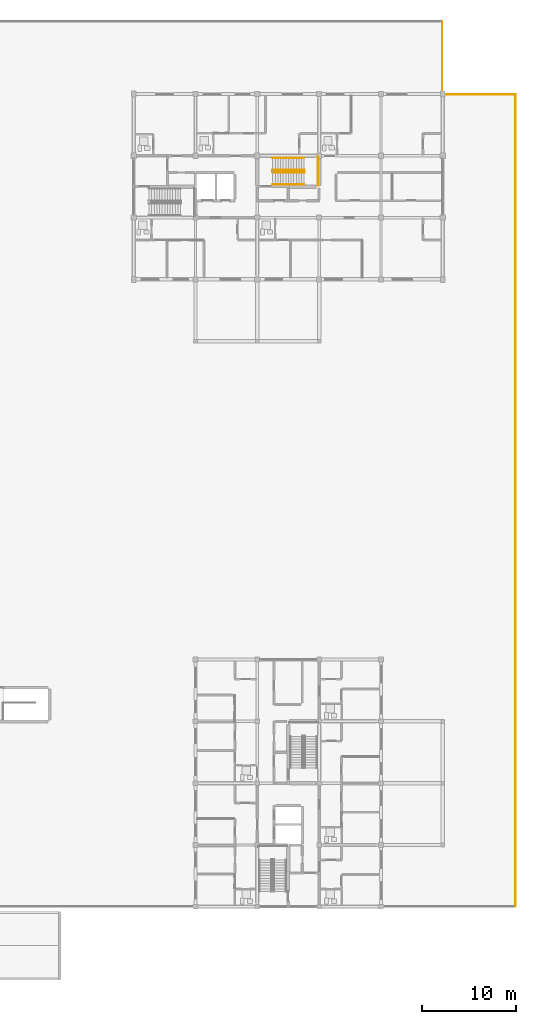
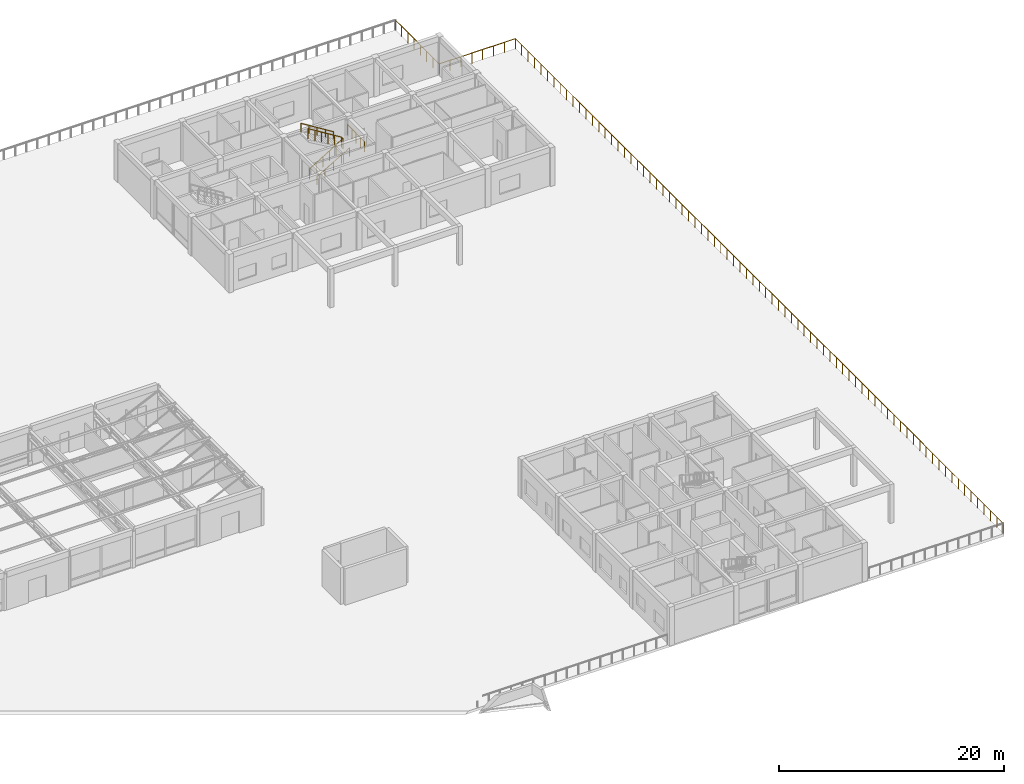
# One storey, part 91 of 92: 5 railings.
"""IFC4 building model written with IfcOpenShell, lengths in metres."""

from ifc_helpers import new_model, si_unit, direction, frame, origin, origin_2d, place, context, subcontext, project, spatial, circle, extrude, material, type_object, element, save


model = new_model("IFC4")

# Units and contexts
model_context = context("Model", 3, precision=1e-05, world=origin(), true_north=direction((0.0, 1.0)))
body_context = subcontext(model_context, "Body", "Model", "MODEL_VIEW")
ifc_project = project(units=[si_unit("LENGTHUNIT", "METRE"), si_unit("AREAUNIT", "SQUARE_METRE"), si_unit("VOLUMEUNIT", "CUBIC_METRE"), si_unit("PLANEANGLEUNIT", "RADIAN"), si_unit("MASSUNIT", "GRAM", prefix="KILO")], contexts=[model_context])

# Site, building, storey
site_placement = place(None, origin())
site = spatial("IfcSite", under=ifc_project, at=site_placement, CompositionType="ELEMENT")
building_placement = place(site_placement, origin())
building = spatial("IfcBuilding", under=site, at=building_placement, Name="Kernevlak Ridge Housing Community", CompositionType="ELEMENT")
storey_placement = place(building_placement, frame((0.0, 0.0, 4.199951171875)))
storey = spatial("IfcBuildingStorey", under=building, at=storey_placement, Name="L01", CompositionType="ELEMENT", Elevation=4.199951171875)

# Railings
ifc_material_1 = material(Name="Steel S355", Category="steel")
railing_type_1 = type_object("IfcRailingType", Name="GR-01", PredefinedType="GUARDRAIL", material=ifc_material_1)
railing_1_placement = place(storey_placement, frame((160.14990234375, 15.64990234375, 0.0)))
element("IfcRailing", 1, at=railing_1_placement, inside=storey, type_object=railing_type_1, Name="L01 civic plaza perimeter guard GR-01 61", PredefinedType="GUARDRAIL", context=body_context, shape_type="SweptSolid", body=[
    extrude(circle(Radius=0.02392578125, at=origin_2d()), frame((0.0, 0.0, 1.09619140625), z_axis=(0.0, 1.0, 0.0), x_axis=(-1.0, 0.0, 0.0)), (0.0, 0.0, 1.0), 86.7001953125),
    extrude(circle(Radius=0.02392578125, at=origin_2d()), frame((0.0, 86.7001953125, 1.09619140625), z_axis=(-1.0, 0.0, 0.0), x_axis=(0.0, -1.0, 0.0)), (0.0, 0.0, 1.0), 7.7998046875),
    extrude(circle(Radius=0.02392578125, at=origin_2d()), frame((-7.7998046875, 86.7001953125, 1.09619140625), z_axis=(0.0, 1.0, 0.0), x_axis=(-1.0, 0.0, 0.0)), (0.0, 0.0, 1.0), 7.7998046875),
    extrude(circle(Radius=0.02099609375, at=origin_2d()), origin(), (0.0, 0.0, 1.0), 1.072021484375),
    extrude(circle(Radius=0.02099609375, at=origin_2d()), frame((0.0, 1.140869140625, 0.0)), (0.0, 0.0, 1.0), 1.072021484375),
    extrude(circle(Radius=0.02099609375, at=origin_2d()), frame((0.0, 2.281494140625, 0.0)), (0.0, 0.0, 1.0), 1.072021484375),
    extrude(circle(Radius=0.02099609375, at=origin_2d()), frame((0.0, 3.42236328125, 0.0)), (0.0, 0.0, 1.0), 1.072021484375),
    extrude(circle(Radius=0.02099609375, at=origin_2d()), frame((0.0, 4.563232421875, 0.0)), (0.0, 0.0, 1.0), 1.072021484375),
    extrude(circle(Radius=0.02099609375, at=origin_2d()), frame((0.0, 5.703857421875, 0.0)), (0.0, 0.0, 1.0), 1.072021484375),
    extrude(circle(Radius=0.02099609375, at=origin_2d()), frame((0.0, 6.8447265625, 0.0)), (0.0, 0.0, 1.0), 1.072021484375),
    extrude(circle(Radius=0.02099609375, at=origin_2d()), frame((0.0, 7.985595703125, 0.0)), (0.0, 0.0, 1.0), 1.072021484375),
    extrude(circle(Radius=0.02099609375, at=origin_2d()), frame((0.0, 9.126220703125, 0.0)), (0.0, 0.0, 1.0), 1.072021484375),
    extrude(circle(Radius=0.02099609375, at=origin_2d()), frame((0.0, 10.26708984375, 0.0)), (0.0, 0.0, 1.0), 1.072021484375),
    extrude(circle(Radius=0.02099609375, at=origin_2d()), frame((0.0, 11.407958984375, 0.0)), (0.0, 0.0, 1.0), 1.072021484375),
    extrude(circle(Radius=0.02099609375, at=origin_2d()), frame((0.0, 12.548828125, 0.0)), (0.0, 0.0, 1.0), 1.072021484375),
    extrude(circle(Radius=0.02099609375, at=origin_2d()), frame((0.0, 13.689453125, 0.0)), (0.0, 0.0, 1.0), 1.072021484375),
    extrude(circle(Radius=0.02099609375, at=origin_2d()), frame((0.0, 14.830322265625, 0.0)), (0.0, 0.0, 1.0), 1.072021484375),
    extrude(circle(Radius=0.02099609375, at=origin_2d()), frame((0.0, 15.97119140625, 0.0)), (0.0, 0.0, 1.0), 1.072021484375),
    extrude(circle(Radius=0.02099609375, at=origin_2d()), frame((0.0, 17.11181640625, 0.0)), (0.0, 0.0, 1.0), 1.072021484375),
    extrude(circle(Radius=0.02099609375, at=origin_2d()), frame((0.0, 18.252685546875, 0.0)), (0.0, 0.0, 1.0), 1.072021484375),
    extrude(circle(Radius=0.02099609375, at=origin_2d()), frame((0.0, 19.3935546875, 0.0)), (0.0, 0.0, 1.0), 1.072021484375),
    extrude(circle(Radius=0.02099609375, at=origin_2d()), frame((0.0, 20.5341796875, 0.0)), (0.0, 0.0, 1.0), 1.072021484375),
    extrude(circle(Radius=0.02099609375, at=origin_2d()), frame((0.0, 21.675048828125, 0.0)), (0.0, 0.0, 1.0), 1.072021484375),
    extrude(circle(Radius=0.02099609375, at=origin_2d()), frame((0.0, 22.81591796875, 0.0)), (0.0, 0.0, 1.0), 1.072021484375),
    extrude(circle(Radius=0.02099609375, at=origin_2d()), frame((0.0, 23.95654296875, 0.0)), (0.0, 0.0, 1.0), 1.072021484375),
    extrude(circle(Radius=0.02099609375, at=origin_2d()), frame((0.0, 25.097412109375, 0.0)), (0.0, 0.0, 1.0), 1.072021484375),
    extrude(circle(Radius=0.02099609375, at=origin_2d()), frame((0.0, 26.23828125, 0.0)), (0.0, 0.0, 1.0), 1.072021484375),
    extrude(circle(Radius=0.02099609375, at=origin_2d()), frame((0.0, 27.37890625, 0.0)), (0.0, 0.0, 1.0), 1.072021484375),
    extrude(circle(Radius=0.02099609375, at=origin_2d()), frame((0.0, 28.519775390625, 0.0)), (0.0, 0.0, 1.0), 1.072021484375),
    extrude(circle(Radius=0.02099609375, at=origin_2d()), frame((0.0, 29.66064453125, 0.0)), (0.0, 0.0, 1.0), 1.072021484375),
    extrude(circle(Radius=0.02099609375, at=origin_2d()), frame((0.0, 30.80126953125, 0.0)), (0.0, 0.0, 1.0), 1.072021484375),
    extrude(circle(Radius=0.02099609375, at=origin_2d()), frame((0.0, 31.942138671875, 0.0)), (0.0, 0.0, 1.0), 1.072021484375),
    extrude(circle(Radius=0.02099609375, at=origin_2d()), frame((0.0, 33.0830078125, 0.0)), (0.0, 0.0, 1.0), 1.072021484375),
    extrude(circle(Radius=0.02099609375, at=origin_2d()), frame((0.0, 34.223876953125, 0.0)), (0.0, 0.0, 1.0), 1.072021484375),
    extrude(circle(Radius=0.02099609375, at=origin_2d()), frame((0.0, 35.364501953125, 0.0)), (0.0, 0.0, 1.0), 1.072021484375),
    extrude(circle(Radius=0.02099609375, at=origin_2d()), frame((0.0, 36.50537109375, 0.0)), (0.0, 0.0, 1.0), 1.072021484375),
    extrude(circle(Radius=0.02099609375, at=origin_2d()), frame((0.0, 37.646240234375, 0.0)), (0.0, 0.0, 1.0), 1.072021484375),
    extrude(circle(Radius=0.02099609375, at=origin_2d()), frame((0.0, 38.786865234375, 0.0)), (0.0, 0.0, 1.0), 1.072021484375),
    extrude(circle(Radius=0.02099609375, at=origin_2d()), frame((0.0, 39.927734375, 0.0)), (0.0, 0.0, 1.0), 1.072021484375),
    extrude(circle(Radius=0.02099609375, at=origin_2d()), frame((0.0, 41.068603515625, 0.0)), (0.0, 0.0, 1.0), 1.072021484375),
    extrude(circle(Radius=0.02099609375, at=origin_2d()), frame((0.0, 42.209228515625, 0.0)), (0.0, 0.0, 1.0), 1.072021484375),
    extrude(circle(Radius=0.02099609375, at=origin_2d()), frame((0.0, 43.35009765625, 0.0)), (0.0, 0.0, 1.0), 1.072021484375),
    extrude(circle(Radius=0.02099609375, at=origin_2d()), frame((0.0, 44.490966796875, 0.0)), (0.0, 0.0, 1.0), 1.072021484375),
    extrude(circle(Radius=0.02099609375, at=origin_2d()), frame((0.0, 45.631591796875, 0.0)), (0.0, 0.0, 1.0), 1.072021484375),
    extrude(circle(Radius=0.02099609375, at=origin_2d()), frame((0.0, 46.7724609375, 0.0)), (0.0, 0.0, 1.0), 1.072021484375),
    extrude(circle(Radius=0.02099609375, at=origin_2d()), frame((0.0, 47.913330078125, 0.0)), (0.0, 0.0, 1.0), 1.072021484375),
    extrude(circle(Radius=0.02099609375, at=origin_2d()), frame((0.0, 49.053955078125, 0.0)), (0.0, 0.0, 1.0), 1.072021484375),
    extrude(circle(Radius=0.02099609375, at=origin_2d()), frame((0.0, 50.19482421875, 0.0)), (0.0, 0.0, 1.0), 1.072021484375),
    extrude(circle(Radius=0.02099609375, at=origin_2d()), frame((0.0, 51.335693359375, 0.0)), (0.0, 0.0, 1.0), 1.072021484375),
    extrude(circle(Radius=0.02099609375, at=origin_2d()), frame((0.0, 52.476318359375, 0.0)), (0.0, 0.0, 1.0), 1.072021484375),
    extrude(circle(Radius=0.02099609375, at=origin_2d()), frame((0.0, 53.6171875, 0.0)), (0.0, 0.0, 1.0), 1.072021484375),
    extrude(circle(Radius=0.02099609375, at=origin_2d()), frame((0.0, 54.758056640625, 0.0)), (0.0, 0.0, 1.0), 1.072021484375),
    extrude(circle(Radius=0.02099609375, at=origin_2d()), frame((0.0, 55.89892578125, 0.0)), (0.0, 0.0, 1.0), 1.072021484375),
    extrude(circle(Radius=0.02099609375, at=origin_2d()), frame((0.0, 57.03955078125, 0.0)), (0.0, 0.0, 1.0), 1.072021484375),
    extrude(circle(Radius=0.02099609375, at=origin_2d()), frame((0.0, 58.180419921875, 0.0)), (0.0, 0.0, 1.0), 1.072021484375),
    extrude(circle(Radius=0.02099609375, at=origin_2d()), frame((0.0, 59.3212890625, 0.0)), (0.0, 0.0, 1.0), 1.072021484375),
    extrude(circle(Radius=0.02099609375, at=origin_2d()), frame((0.0, 60.4619140625, 0.0)), (0.0, 0.0, 1.0), 1.072021484375),
    extrude(circle(Radius=0.02099609375, at=origin_2d()), frame((0.0, 61.602783203125, 0.0)), (0.0, 0.0, 1.0), 1.072021484375),
    extrude(circle(Radius=0.02099609375, at=origin_2d()), frame((0.0, 62.74365234375, 0.0)), (0.0, 0.0, 1.0), 1.072021484375),
    extrude(circle(Radius=0.02099609375, at=origin_2d()), frame((0.0, 63.88427734375, 0.0)), (0.0, 0.0, 1.0), 1.072021484375),
    extrude(circle(Radius=0.02099609375, at=origin_2d()), frame((0.0, 65.025146484375, 0.0)), (0.0, 0.0, 1.0), 1.072021484375),
    extrude(circle(Radius=0.02099609375, at=origin_2d()), frame((0.0, 66.166015625, 0.0)), (0.0, 0.0, 1.0), 1.072021484375),
    extrude(circle(Radius=0.02099609375, at=origin_2d()), frame((0.0, 67.306640625, 0.0)), (0.0, 0.0, 1.0), 1.072021484375),
    extrude(circle(Radius=0.02099609375, at=origin_2d()), frame((0.0, 68.447509765625, 0.0)), (0.0, 0.0, 1.0), 1.072021484375),
    extrude(circle(Radius=0.02099609375, at=origin_2d()), frame((0.0, 69.58837890625, 0.0)), (0.0, 0.0, 1.0), 1.072021484375),
    extrude(circle(Radius=0.02099609375, at=origin_2d()), frame((0.0, 70.72900390625, 0.0)), (0.0, 0.0, 1.0), 1.072021484375),
    extrude(circle(Radius=0.02099609375, at=origin_2d()), frame((0.0, 71.869873046875, 0.0)), (0.0, 0.0, 1.0), 1.072021484375),
    extrude(circle(Radius=0.02099609375, at=origin_2d()), frame((0.0, 73.0107421875, 0.0)), (0.0, 0.0, 1.0), 1.072021484375),
    extrude(circle(Radius=0.02099609375, at=origin_2d()), frame((0.0, 74.1513671875, 0.0)), (0.0, 0.0, 1.0), 1.072021484375),
    extrude(circle(Radius=0.02099609375, at=origin_2d()), frame((0.0, 75.292236328125, 0.0)), (0.0, 0.0, 1.0), 1.072021484375),
    extrude(circle(Radius=0.02099609375, at=origin_2d()), frame((0.0, 76.43310546875, 0.0)), (0.0, 0.0, 1.0), 1.072021484375),
    extrude(circle(Radius=0.02099609375, at=origin_2d()), frame((0.0, 77.573974609375, 0.0)), (0.0, 0.0, 1.0), 1.072021484375),
    extrude(circle(Radius=0.02099609375, at=origin_2d()), frame((0.0, 78.714599609375, 0.0)), (0.0, 0.0, 1.0), 1.072021484375),
    extrude(circle(Radius=0.02099609375, at=origin_2d()), frame((0.0, 79.85546875, 0.0)), (0.0, 0.0, 1.0), 1.072021484375),
    extrude(circle(Radius=0.02099609375, at=origin_2d()), frame((0.0, 80.996337890625, 0.0)), (0.0, 0.0, 1.0), 1.072021484375),
    extrude(circle(Radius=0.02099609375, at=origin_2d()), frame((0.0, 82.136962890625, 0.0)), (0.0, 0.0, 1.0), 1.072021484375),
    extrude(circle(Radius=0.02099609375, at=origin_2d()), frame((0.0, 83.27783203125, 0.0)), (0.0, 0.0, 1.0), 1.072021484375),
    extrude(circle(Radius=0.02099609375, at=origin_2d()), frame((0.0, 84.418701171875, 0.0)), (0.0, 0.0, 1.0), 1.072021484375),
    extrude(circle(Radius=0.02099609375, at=origin_2d()), frame((0.0, 85.559326171875, 0.0)), (0.0, 0.0, 1.0), 1.072021484375),
    extrude(circle(Radius=0.02099609375, at=origin_2d()), frame((0.0, 86.7001953125, 0.0)), (0.0, 0.0, 1.0), 1.072021484375),
    extrude(circle(Radius=0.02099609375, at=origin_2d()), frame((-1.1142578125, 86.7001953125, 0.0)), (0.0, 0.0, 1.0), 1.072021484375),
    extrude(circle(Radius=0.02099609375, at=origin_2d()), frame((-2.228515625, 86.7001953125, 0.0)), (0.0, 0.0, 1.0), 1.072021484375),
    extrude(circle(Radius=0.02099609375, at=origin_2d()), frame((-3.3427734375, 86.7001953125, 0.0)), (0.0, 0.0, 1.0), 1.072021484375),
    extrude(circle(Radius=0.02099609375, at=origin_2d()), frame((-4.45703125, 86.7001953125, 0.0)), (0.0, 0.0, 1.0), 1.072021484375),
    extrude(circle(Radius=0.02099609375, at=origin_2d()), frame((-5.5712890625, 86.7001953125, 0.0)), (0.0, 0.0, 1.0), 1.072021484375),
    extrude(circle(Radius=0.02099609375, at=origin_2d()), frame((-6.685546875, 86.7001953125, 0.0)), (0.0, 0.0, 1.0), 1.072021484375),
    extrude(circle(Radius=0.02099609375, at=origin_2d()), frame((-7.7998046875, 86.7001953125, 0.0)), (0.0, 0.0, 1.0), 1.072021484375),
    extrude(circle(Radius=0.02099609375, at=origin_2d()), frame((-7.7998046875, 87.814453125, 0.0)), (0.0, 0.0, 1.0), 1.072021484375),
    extrude(circle(Radius=0.02099609375, at=origin_2d()), frame((-7.7998046875, 88.9287109375, 0.0)), (0.0, 0.0, 1.0), 1.072021484375),
    extrude(circle(Radius=0.02099609375, at=origin_2d()), frame((-7.7998046875, 90.04296875, 0.0)), (0.0, 0.0, 1.0), 1.072021484375),
    extrude(circle(Radius=0.02099609375, at=origin_2d()), frame((-7.7998046875, 91.1572265625, 0.0)), (0.0, 0.0, 1.0), 1.072021484375),
    extrude(circle(Radius=0.02099609375, at=origin_2d()), frame((-7.7998046875, 92.271484375, 0.0)), (0.0, 0.0, 1.0), 1.072021484375),
    extrude(circle(Radius=0.02099609375, at=origin_2d()), frame((-7.7998046875, 93.3857421875, 0.0)), (0.0, 0.0, 1.0), 1.072021484375),
    extrude(circle(Radius=0.02099609375, at=origin_2d()), frame((-7.7998046875, 94.5, 0.0)), (0.0, 0.0, 1.0), 1.072021484375),
])
railing_type_2 = type_object("IfcRailingType", Name="GR-02", PredefinedType="GUARDRAIL", material=ifc_material_1)
railing_2_placement = place(storey_placement, frame((134.239990234375, 94.02001953125, 0.0)))
element("IfcRailing", 2, at=railing_2_placement, inside=storey, type_object=railing_type_2, Name="Stair ST-B2 L01 inner well guardrail", PredefinedType="GUARDRAIL", context=body_context, shape_type="SweptSolid", body=[
    extrude(circle(Radius=0.02392578125, at=origin_2d()), frame((0.0, 0.0, 1.09619140625), z_axis=(0.850780323153, 0.0, 0.525521495028), x_axis=(0.0, 1.0, 0.0)), (0.0, 0.0, 1.0), 3.996337890625),
    extrude(circle(Radius=0.02392578125, at=origin_2d()), frame((3.39990234375, 0.0, 3.1962890625), z_axis=(0.0, 1.0, 0.0), x_axis=(-1.0, 0.0, 0.0)), (0.0, 0.0, 1.0), 0.260009765625),
    extrude(circle(Radius=0.02392578125, at=origin_2d()), frame((3.39990234375, 0.260009765625, 3.1962890625), z_axis=(-0.85080763774, 0.0, 0.525477272167), x_axis=(0.0, -1.0, 0.0)), (0.0, 0.0, 1.0), 3.99609375),
    extrude(circle(Radius=0.02099609375, at=origin_2d()), origin(), (0.0, 0.0, 1.0), 1.072021484375),
    extrude(circle(Radius=0.02099609375, at=origin_2d()), frame((0.679931640625, 0.0, 0.419921875)), (0.0, 0.0, 1.0), 1.072021484375),
    extrude(circle(Radius=0.02099609375, at=origin_2d()), frame((1.35986328125, 0.0, 0.840087890625)), (0.0, 0.0, 1.0), 1.072021484375),
    extrude(circle(Radius=0.02099609375, at=origin_2d()), frame((2.0400390625, 0.0, 1.260009765625)), (0.0, 0.0, 1.0), 1.072021484375),
    extrude(circle(Radius=0.02099609375, at=origin_2d()), frame((2.719970703125, 0.0, 1.68017578125)), (0.0, 0.0, 1.0), 1.072021484375),
    extrude(circle(Radius=0.02099609375, at=origin_2d()), frame((3.39990234375, 0.0, 2.10009765625)), (0.0, 0.0, 1.0), 1.072021484375),
    extrude(circle(Radius=0.02099609375, at=origin_2d()), frame((3.39990234375, 0.260009765625, 2.10009765625)), (0.0, 0.0, 1.0), 1.072021484375),
    extrude(circle(Radius=0.02099609375, at=origin_2d()), frame((2.719970703125, 0.260009765625, 2.52001953125)), (0.0, 0.0, 1.0), 1.072021484375),
    extrude(circle(Radius=0.02099609375, at=origin_2d()), frame((2.0400390625, 0.260009765625, 2.93994140625)), (0.0, 0.0, 1.0), 1.072021484375),
    extrude(circle(Radius=0.02099609375, at=origin_2d()), frame((1.35986328125, 0.260009765625, 3.360107421875)), (0.0, 0.0, 1.0), 1.072021484375),
    extrude(circle(Radius=0.02099609375, at=origin_2d()), frame((0.679931640625, 0.260009765625, 3.780029296875)), (0.0, 0.0, 1.0), 1.072021484375),
    extrude(circle(Radius=0.02099609375, at=origin_2d()), frame((0.0, 0.260009765625, 4.199951171875)), (0.0, 0.0, 1.0), 1.072021484375),
])
railing_3_placement = place(storey_placement, frame((139.080078125, 92.6201171875, 2.10009765625)))
element("IfcRailing", 3, at=railing_3_placement, inside=storey, type_object=railing_type_2, Name="Stair ST-B2 L01 half-landing guard", PredefinedType="GUARDRAIL", context=body_context, shape_type="SweptSolid", body=[
    extrude(circle(Radius=0.02392578125, at=origin_2d()), frame((0.0, 0.0, 1.09619140625), z_axis=(0.0, 1.0, 0.0), x_axis=(-1.0, 0.0, 0.0)), (0.0, 0.0, 1.0), 3.059814453125),
    extrude(circle(Radius=0.02099609375, at=origin_2d()), origin(), (0.0, 0.0, 1.0), 1.072021484375),
    extrude(circle(Radius=0.02099609375, at=origin_2d()), frame((0.0, 0.764892578125, 0.0)), (0.0, 0.0, 1.0), 1.072021484375),
    extrude(circle(Radius=0.02099609375, at=origin_2d()), frame((0.0, 1.52978515625, 0.0)), (0.0, 0.0, 1.0), 1.072021484375),
    extrude(circle(Radius=0.02099609375, at=origin_2d()), frame((0.0, 2.294921875, 0.0)), (0.0, 0.0, 1.0), 1.072021484375),
    extrude(circle(Radius=0.02099609375, at=origin_2d()), frame((0.0, 3.059814453125, 0.0)), (0.0, 0.0, 1.0), 1.072021484375),
])
ifc_material_2 = material(Name="Stainless steel EN 1.4401", Category="steel")
railing_type_3 = type_object("IfcRailingType", Name="HR-01", PredefinedType="HANDRAIL", material=ifc_material_2)
railing_4_placement = place(storey_placement, frame((134.239990234375, 92.719970703125, 0.16162109375)))
element("IfcRailing", 4, at=railing_4_placement, inside=storey, type_object=railing_type_3, Name="Stair ST-B2 L01 flight 1 handrail", PredefinedType="HANDRAIL", context=body_context, shape_type="SweptSolid", body=[
    extrude(circle(Radius=0.02392578125, at=origin_2d()), frame((0.0, 0.0, 0.89599609375), z_axis=(0.866190824863, 0.0, 0.499713372768), x_axis=(0.0, 1.0, 0.0)), (0.0, 0.0, 1.0), 3.879150390625),
    extrude(circle(Radius=0.02099609375, at=origin_2d()), origin(), (0.0, 0.0, 1.0), 0.871826171875),
    extrude(circle(Radius=0.02099609375, at=origin_2d()), frame((0.840087890625, 0.0, 0.484619140625)), (0.0, 0.0, 1.0), 0.871826171875),
    extrude(circle(Radius=0.02099609375, at=origin_2d()), frame((1.68017578125, 0.0, 0.96923828125)), (0.0, 0.0, 1.0), 0.871826171875),
    extrude(circle(Radius=0.02099609375, at=origin_2d()), frame((2.52001953125, 0.0, 1.453857421875)), (0.0, 0.0, 1.0), 0.871826171875),
    extrude(circle(Radius=0.02099609375, at=origin_2d()), frame((3.360107421875, 0.0, 1.9384765625)), (0.0, 0.0, 1.0), 0.871826171875),
])
railing_5_placement = place(storey_placement, frame((137.60009765625, 95.580078125, 2.10009765625)))
element("IfcRailing", 5, at=railing_5_placement, inside=storey, type_object=railing_type_3, Name="Stair ST-B2 L01 flight 2 handrail", PredefinedType="HANDRAIL", context=body_context, shape_type="SweptSolid", body=[
    extrude(circle(Radius=0.02392578125, at=origin_2d()), frame((0.0, 0.0, 0.89599609375), z_axis=(-0.848022534174, 0.0, 0.529960169762), x_axis=(0.0, -1.0, 0.0)), (0.0, 0.0, 1.0), 3.96240234375),
    extrude(circle(Radius=0.02099609375, at=origin_2d()), origin(), (0.0, 0.0, 1.0), 0.871826171875),
    extrude(circle(Radius=0.02099609375, at=origin_2d()), frame((-0.840087890625, 0.0, 0.52490234375)), (0.0, 0.0, 1.0), 0.871826171875),
    extrude(circle(Radius=0.02099609375, at=origin_2d()), frame((-1.68017578125, 0.0, 1.0498046875)), (0.0, 0.0, 1.0), 0.871826171875),
    extrude(circle(Radius=0.02099609375, at=origin_2d()), frame((-2.52001953125, 0.0, 1.574951171875)), (0.0, 0.0, 1.0), 0.871826171875),
    extrude(circle(Radius=0.02099609375, at=origin_2d()), frame((-3.360107421875, 0.0, 2.099853515625)), (0.0, 0.0, 1.0), 0.871826171875),
])

save(model, "model.ifc")
